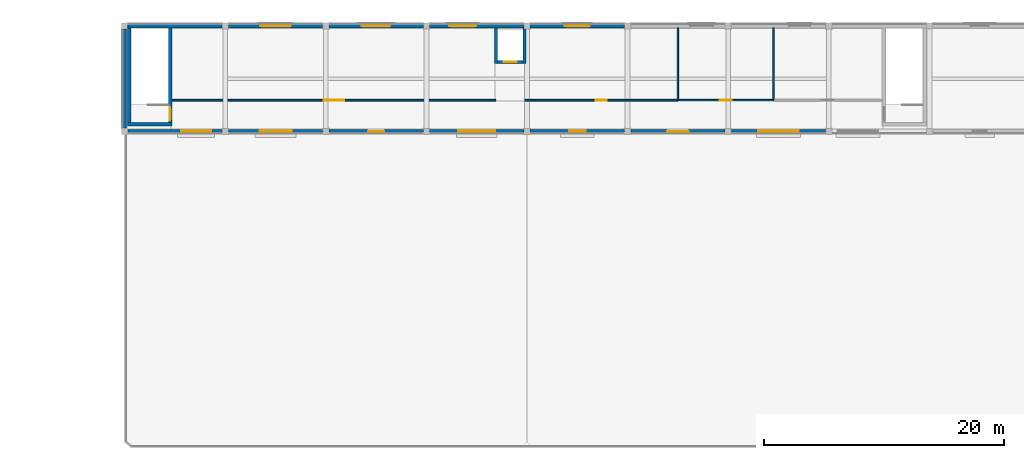
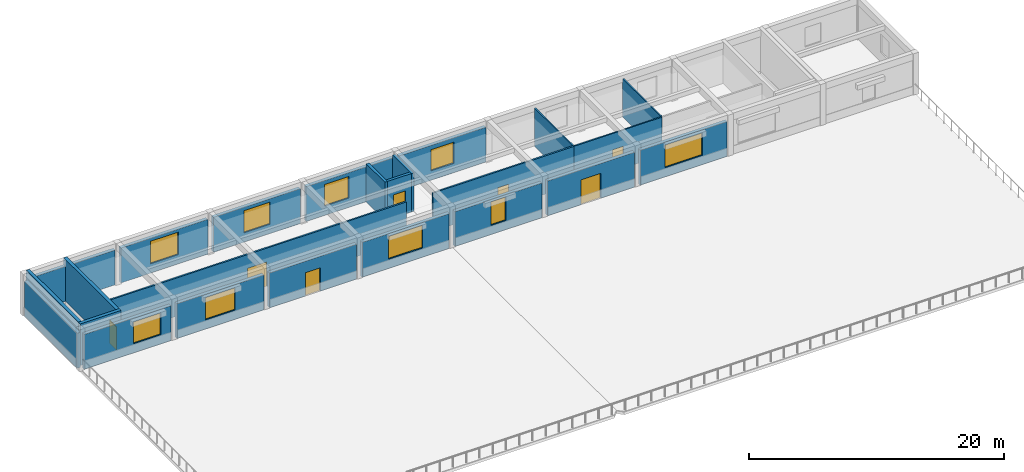
# One storey, part 35 of 49: 24 walls, 9 windows, 7 doors, 16 openings.
"""IFC4 building model written with IfcOpenShell, lengths in metres."""

from ifc_helpers import new_model, si_unit, direction, frame, frame_2d, origin, place, context, subcontext, project, spatial, rectangle, extrude, material, layer, layer_set, type_object, element, fill, save


model = new_model("IFC4")

# Units and contexts
model_context = context("Model", 3, precision=1e-05, world=origin(), true_north=direction((0.0, 1.0)))
body_context = subcontext(model_context, "Body", "Model", "MODEL_VIEW")
ifc_project = project(units=[si_unit("LENGTHUNIT", "METRE"), si_unit("AREAUNIT", "SQUARE_METRE"), si_unit("VOLUMEUNIT", "CUBIC_METRE"), si_unit("PLANEANGLEUNIT", "RADIAN"), si_unit("MASSUNIT", "GRAM", prefix="KILO")], contexts=[model_context])

# Site, building, storey
site_placement = place(None, origin())
site = spatial("IfcSite", under=ifc_project, at=site_placement, CompositionType="ELEMENT")
building_placement = place(site_placement, origin())
building = spatial("IfcBuilding", under=site, at=building_placement, Name="Kemercrest Conservatory and Botanical Centre", CompositionType="ELEMENT")
storey_placement = place(building_placement, frame((0.0, 0.0, 13.199951171875)))
storey = spatial("IfcBuildingStorey", under=building, at=storey_placement, Name="L03", CompositionType="ELEMENT", Elevation=13.199951171875)

# Walls
ifc_material_1 = material(Name="Precast concrete C40/50", Category="concrete")
ifc_layer_1 = layer(ifc_material_1, 0.300048828125)
ifc_layer_set_1 = layer_set([ifc_layer_1], Name="Precast concrete C40/50")
wall_type_1 = type_object("IfcWallType", Name="CW-EXT300", PredefinedType="SHEAR", material=ifc_layer_set_1)
wall_1_placement = place(storey_placement, frame((24.5400390625, 122.39990234375, 0.0), z_axis=(0.0, 0.0, 1.0), x_axis=(-1.0, 0.0, 0.0)))
element("IfcWall", 1, at=wall_1_placement, inside=storey, type_object=wall_type_1, Name="Exterior stair-core shear wall CW-EXT300 (WAL:L03:EXT-156)", PredefinedType="SHEAR", context=body_context, shape_type="SweptSolid", body=[
    extrude(rectangle(XDim=7.880126953125, YDim=0.300048828125, at=frame_2d((3.93994140625, 0.0))), origin(), (0.0, 0.0, 1.0), 3.35009765625),
])
ifc_material_2 = material(Name="Concrete C50/60", Category="concrete")
ifc_layer_2 = layer(ifc_material_2, 0.300048828125)
ifc_layer_set_2 = layer_set([ifc_layer_2], Name="Concrete C50/60")
wall_type_2 = type_object("IfcWallType", Name="CW-STAIR", PredefinedType="SHEAR", material=ifc_layer_set_2)
wall_2_placement = place(storey_placement, frame((16.64990234375, 114.199951171875, 0.0), z_axis=(0.0, 0.0, 1.0), x_axis=(1.0, 0.0, 0.0)))
element("IfcWall", 2, at=wall_2_placement, inside=storey, type_object=wall_type_2, Name="Stair core ST-V3A shear wall S", PredefinedType="SHEAR", context=body_context, shape_type="SweptSolid", body=[
    extrude(rectangle(XDim=3.7001953125, YDim=0.300048828125, at=frame_2d((1.85009765625, 0.0))), origin(), (0.0, 0.0, 1.0), 4.0),
])
wall_3_placement = place(storey_placement, frame((16.800048828125, 114.050048828125, 0.0), z_axis=(0.0, 0.0, 1.0), x_axis=(0.0, 1.0, 0.0)))
element("IfcWall", 3, at=wall_3_placement, inside=storey, type_object=wall_type_2, Name="Stair core ST-V3A shear wall W", PredefinedType="SHEAR", context=body_context, shape_type="SweptSolid", body=[
    extrude(rectangle(XDim=8.5, YDim=0.300048828125, at=frame_2d((4.25, 0.0))), origin(), (0.0, 0.0, 1.0), 4.0),
])

# Wall, opening, door
wall_4_placement = place(storey_placement, frame((20.199951171875, 114.050048828125, 0.0), z_axis=(0.0, 0.0, 1.0), x_axis=(0.0, 1.0, 0.0)))
wall_4 = element("IfcWall", 4, at=wall_4_placement, inside=storey, type_object=wall_type_2, Name="Stair core ST-V3A shear wall E", PredefinedType="SHEAR", context=body_context, shape_type="SweptSolid", body=[
    extrude(rectangle(XDim=8.5, YDim=0.300048828125, at=frame_2d((4.25, 0.0))), origin(), (0.0, 0.0, 1.0), 4.0),
])
opening_1_placement = place(wall_4_placement, frame((0.449951171875, 0.0, 0.0)))
opening_1 = element("IfcOpeningElement", 5, at=opening_1_placement, cuts=wall_4, Name="Opening D019", PredefinedType="OPENING", context=body_context, shape_type="SweptSolid", body=[
    extrude(rectangle(XDim=1.10009765625, YDim=2.199951171875, at=frame_2d((0.550048828125, 1.10009765625))), frame((0.0, 0.16015625, 0.0), z_axis=(0.0, -1.0, 0.0), x_axis=(1.0, 0.0, 0.0)), (0.0, 0.0, 1.0), 0.320068359375),
])
ifc_material_3 = material(Name="Powder-coated galvanized steel and fire-rated vision glass", Category="steel")
door_type_1 = type_object("IfcDoorType", Name="DT-FD90", OperationType="NOTDEFINED", PredefinedType="DOOR", material=ifc_material_3)
door_1_placement = place(opening_1_placement, origin())
door_1 = element("IfcDoor", 6, at=door_1_placement, inside=storey, type_object=door_type_1, Name="Exit stair ST-V3A fire door D019", OperationType="SINGLE_SWING_LEFT", OverallHeight=2.199951171875, OverallWidth=1.10009765625, PredefinedType="DOOR", context=body_context, shape_type="SweptSolid", body=[
    extrude(rectangle(XDim=1.10009765625, YDim=2.199951171875, at=frame_2d((0.550048828125, 1.10009765625))), frame((0.0, 0.02490234375, 0.0), z_axis=(0.0, -1.0, 0.0), x_axis=(1.0, 0.0, 0.0)), (0.0, 0.0, 1.0), 0.050048828125),
])
fill(opening_1, door_1)

# Wall, opening, window
ifc_layer_3 = layer(ifc_material_1, 0.300048828125)
ifc_layer_set_3 = layer_set([ifc_layer_3], Name="Precast concrete C40/50")
wall_type_3 = type_object("IfcWallType", Name="W-EXT300", PredefinedType="SOLIDWALL", material=ifc_layer_set_3)
wall_5_placement = place(storey_placement, frame((16.659912109375, 113.60009765625, 0.0), z_axis=(0.0, 0.0, 1.0), x_axis=(1.0, 0.0, 0.0)))
wall_5 = element("IfcWall", 7, at=wall_5_placement, inside=storey, type_object=wall_type_3, Name="Exterior almasik wall W-EXT300 (WAL:L03:EXT-138)", PredefinedType="SOLIDWALL", context=body_context, shape_type="SweptSolid", body=[
    extrude(rectangle(XDim=7.880126953125, YDim=0.300048828125, at=frame_2d((3.93994140625, 0.0))), origin(), (0.0, 0.0, 1.0), 3.35009765625),
])
opening_2_placement = place(wall_5_placement, frame((4.469970703125, 0.0, 0.89990234375)))
opening_2 = element("IfcOpeningElement", 8, at=opening_2_placement, cuts=wall_5, Name="Opening WT-37", PredefinedType="OPENING", context=body_context, shape_type="SweptSolid", body=[
    extrude(rectangle(XDim=2.47998046875, YDim=2.080078125, at=frame_2d((1.239990234375, 1.0400390625))), frame((0.0, 0.16015625, 0.0), z_axis=(0.0, -1.0, 0.0), x_axis=(1.0, 0.0, 0.0)), (0.0, 0.0, 1.0), 0.320068359375),
])
ifc_material_4 = material(Name="Thermally broken bronze-anodized aluminium and triple glazing", Category="aluminium")
window_type_1 = type_object("IfcWindowType", Name="WT-37", PartitioningType="SINGLE_PANEL", PredefinedType="WINDOW", material=ifc_material_4)
window_1_placement = place(opening_2_placement, origin())
window_1 = element("IfcWindow", 9, at=window_1_placement, inside=storey, type_object=window_type_1, Name="Exterior window WT-37 (WIN:L03:EXT-138)", OverallHeight=2.080078125, OverallWidth=2.47998046875, PartitioningType="SINGLE_PANEL", PredefinedType="WINDOW", context=body_context, shape_type="SweptSolid", body=[
    extrude(rectangle(XDim=2.47998046875, YDim=2.080078125, at=frame_2d((1.239990234375, 1.0400390625))), frame((0.0, 0.030029296875, 0.0), z_axis=(0.0, -1.0, 0.0), x_axis=(1.0, 0.0, 0.0)), (0.0, 0.0, 1.0), 0.06005859375),
])
fill(opening_2, window_1)

wall_6_placement = place(storey_placement, frame((25.06005859375, 113.60009765625, 0.0), z_axis=(0.0, 0.0, 1.0), x_axis=(1.0, 0.0, 0.0)))
wall_6 = element("IfcWall", 10, at=wall_6_placement, inside=storey, type_object=wall_type_3, Name="Exterior almasik wall W-EXT300 (WAL:L03:EXT-139)", PredefinedType="SOLIDWALL", context=body_context, shape_type="SweptSolid", body=[
    extrude(rectangle(XDim=7.8798828125, YDim=0.300048828125, at=frame_2d((3.93994140625, 0.0))), origin(), (0.0, 0.0, 1.0), 3.35009765625),
])
opening_3_placement = place(wall_6_placement, frame((2.60009765625, 0.0, 0.89990234375)))
opening_3 = element("IfcOpeningElement", 11, at=opening_3_placement, cuts=wall_6, Name="Opening WT-38", PredefinedType="OPENING", context=body_context, shape_type="SweptSolid", body=[
    extrude(rectangle(XDim=2.679931640625, YDim=2.1201171875, at=frame_2d((1.33984375, 1.06005859375))), frame((0.0, 0.16015625, 0.0), z_axis=(0.0, -1.0, 0.0), x_axis=(1.0, 0.0, 0.0)), (0.0, 0.0, 1.0), 0.320068359375),
])
window_type_2 = type_object("IfcWindowType", Name="WT-38", PartitioningType="SINGLE_PANEL", PredefinedType="WINDOW", material=ifc_material_4)
window_2_placement = place(opening_3_placement, origin())
window_2 = element("IfcWindow", 12, at=window_2_placement, inside=storey, type_object=window_type_2, Name="Exterior window WT-38 (WIN:L03:EXT-139)", OverallHeight=2.1201171875, OverallWidth=2.679931640625, PartitioningType="SINGLE_PANEL", PredefinedType="WINDOW", context=body_context, shape_type="SweptSolid", body=[
    extrude(rectangle(XDim=2.679931640625, YDim=2.1201171875, at=frame_2d((1.33984375, 1.06005859375))), frame((0.0, 0.030029296875, 0.0), z_axis=(0.0, -1.0, 0.0), x_axis=(1.0, 0.0, 0.0)), (0.0, 0.0, 1.0), 0.06005859375),
])
fill(opening_3, window_2)

# Wall, opening, door
wall_7_placement = place(storey_placement, frame((33.4599609375, 113.60009765625, 0.0), z_axis=(0.0, 0.0, 1.0), x_axis=(1.0, 0.0, 0.0)))
wall_7 = element("IfcWall", 13, at=wall_7_placement, inside=storey, type_object=wall_type_3, Name="Exterior almasik wall W-EXT300 (WAL:L03:EXT-140)", PredefinedType="SOLIDWALL", context=body_context, shape_type="SweptSolid", body=[
    extrude(rectangle(XDim=7.880126953125, YDim=0.300048828125, at=frame_2d((3.93994140625, 0.0))), origin(), (0.0, 0.0, 1.0), 3.35009765625),
])
opening_4_placement = place(wall_7_placement, frame((3.264892578125, 0.0, 0.0)))
opening_4 = element("IfcOpeningElement", 14, at=opening_4_placement, cuts=wall_7, Name="Opening ED031", PredefinedType="OPENING", context=body_context, shape_type="SweptSolid", body=[
    extrude(rectangle(XDim=1.35009765625, YDim=2.25, at=frame_2d((0.675048828125, 1.125))), frame((0.0, 0.16015625, 0.0), z_axis=(0.0, -1.0, 0.0), x_axis=(1.0, 0.0, 0.0)), (0.0, 0.0, 1.0), 0.320068359375),
])
ifc_material_5 = material(Name="Thermally broken bronze-anodized aluminium and laminated safety glass", Category="aluminium")
door_type_2 = type_object("IfcDoorType", Name="DT-E09", OperationType="NOTDEFINED", PredefinedType="DOOR", material=ifc_material_5)
door_2_placement = place(opening_4_placement, frame((1.35009765625, 0.0, 0.0), z_axis=(0.0, 0.0, 1.0), x_axis=(-1.0, 0.0, 0.0)))
door_2 = element("IfcDoor", 15, at=door_2_placement, inside=storey, type_object=door_type_2, Name="Public Roof Terrace West Access Door", OperationType="SINGLE_SWING_LEFT", OverallHeight=2.25, OverallWidth=1.35009765625, PredefinedType="DOOR", context=body_context, shape_type="SweptSolid", body=[
    extrude(rectangle(XDim=1.35009765625, YDim=2.25, at=frame_2d((0.675048828125, 1.125))), frame((0.0, 0.02490234375, 0.0), z_axis=(0.0, -1.0, 0.0), x_axis=(1.0, 0.0, 0.0)), (0.0, 0.0, 1.0), 0.050048828125),
])
fill(opening_4, door_2)

# Wall, opening, window
wall_8_placement = place(storey_placement, frame((41.860107421875, 113.60009765625, 0.0), z_axis=(0.0, 0.0, 1.0), x_axis=(1.0, 0.0, 0.0)))
wall_8 = element("IfcWall", 16, at=wall_8_placement, inside=storey, type_object=wall_type_3, Name="Exterior almasik wall W-EXT300 (WAL:L03:EXT-141)", PredefinedType="SOLIDWALL", context=body_context, shape_type="SweptSolid", body=[
    extrude(rectangle(XDim=7.8798828125, YDim=0.300048828125, at=frame_2d((3.93994140625, 0.0))), origin(), (0.0, 0.0, 1.0), 3.35009765625),
])
opening_5_placement = place(wall_8_placement, frame((2.39990234375, 0.0, 0.89990234375)))
opening_5 = element("IfcOpeningElement", 17, at=opening_5_placement, cuts=wall_8, Name="Opening WT-40", PredefinedType="OPENING", context=body_context, shape_type="SweptSolid", body=[
    extrude(rectangle(XDim=3.080078125, YDim=2.179931640625, at=frame_2d((1.5400390625, 1.08984375))), frame((0.0, 0.16015625, 0.0), z_axis=(0.0, -1.0, 0.0), x_axis=(1.0, 0.0, 0.0)), (0.0, 0.0, 1.0), 0.320068359375),
])
window_type_3 = type_object("IfcWindowType", Name="WT-40", PartitioningType="SINGLE_PANEL", PredefinedType="WINDOW", material=ifc_material_4)
window_3_placement = place(opening_5_placement, origin())
window_3 = element("IfcWindow", 18, at=window_3_placement, inside=storey, type_object=window_type_3, Name="Exterior window WT-40 (WIN:L03:EXT-141)", OverallHeight=2.179931640625, OverallWidth=3.080078125, PartitioningType="SINGLE_PANEL", PredefinedType="WINDOW", context=body_context, shape_type="SweptSolid", body=[
    extrude(rectangle(XDim=3.080078125, YDim=2.179931640625, at=frame_2d((1.5400390625, 1.08984375))), frame((0.0, 0.030029296875, 0.0), z_axis=(0.0, -1.0, 0.0), x_axis=(1.0, 0.0, 0.0)), (0.0, 0.0, 1.0), 0.06005859375),
])
fill(opening_5, window_3)

wall_9_placement = place(storey_placement, frame((50.260009765625, 113.60009765625, 0.0), z_axis=(0.0, 0.0, 1.0), x_axis=(1.0, 0.0, 0.0)))
wall_9 = element("IfcWall", 19, at=wall_9_placement, inside=storey, type_object=wall_type_3, Name="Exterior almasik wall W-EXT300 (WAL:L03:EXT-142)", PredefinedType="SOLIDWALL", context=body_context, shape_type="SweptSolid", body=[
    extrude(rectangle(XDim=7.8798828125, YDim=0.300048828125, at=frame_2d((3.93994140625, 0.0))), origin(), (0.0, 0.0, 1.0), 3.35009765625),
])
opening_6_placement = place(wall_9_placement, frame((3.25, 0.0, 0.89990234375)))
opening_6 = element("IfcOpeningElement", 20, at=opening_6_placement, cuts=wall_9, Name="Opening WT-41", PredefinedType="OPENING", context=body_context, shape_type="SweptSolid", body=[
    extrude(rectangle(XDim=1.3798828125, YDim=2.239990234375, at=frame_2d((0.68994140625, 1.1201171875))), frame((0.0, 0.16015625, 0.0), z_axis=(0.0, -1.0, 0.0), x_axis=(1.0, 0.0, 0.0)), (0.0, 0.0, 1.0), 0.320068359375),
])
window_type_4 = type_object("IfcWindowType", Name="WT-41", PartitioningType="SINGLE_PANEL", PredefinedType="WINDOW", material=ifc_material_4)
window_4_placement = place(opening_6_placement, origin())
window_4 = element("IfcWindow", 21, at=window_4_placement, inside=storey, type_object=window_type_4, Name="Exterior window WT-41 (WIN:L03:EXT-142)", OverallHeight=2.239990234375, OverallWidth=1.3798828125, PartitioningType="SINGLE_PANEL", PredefinedType="WINDOW", context=body_context, shape_type="SweptSolid", body=[
    extrude(rectangle(XDim=1.3798828125, YDim=2.239990234375, at=frame_2d((0.68994140625, 1.1201171875))), frame((0.0, 0.030029296875, 0.0), z_axis=(0.0, -1.0, 0.0), x_axis=(1.0, 0.0, 0.0)), (0.0, 0.0, 1.0), 0.06005859375),
])
fill(opening_6, window_4)

# Wall, opening, door
wall_10_placement = place(storey_placement, frame((58.659912109375, 113.60009765625, 0.0), z_axis=(0.0, 0.0, 1.0), x_axis=(1.0, 0.0, 0.0)))
wall_10 = element("IfcWall", 22, at=wall_10_placement, inside=storey, type_object=wall_type_3, Name="Exterior almasik wall W-EXT300 (WAL:L03:EXT-143)", PredefinedType="SOLIDWALL", context=body_context, shape_type="SweptSolid", body=[
    extrude(rectangle(XDim=7.880126953125, YDim=0.300048828125, at=frame_2d((3.93994140625, 0.0))), origin(), (0.0, 0.0, 1.0), 3.35009765625),
])
opening_7_placement = place(wall_10_placement, frame((3.0400390625, 0.0, 0.0)))
opening_7 = element("IfcOpeningElement", 23, at=opening_7_placement, cuts=wall_10, Name="Opening ED032", PredefinedType="OPENING", context=body_context, shape_type="SweptSolid", body=[
    extrude(rectangle(XDim=1.800048828125, YDim=2.39990234375, at=frame_2d((0.89990234375, 1.199951171875))), frame((0.0, 0.16015625, 0.0), z_axis=(0.0, -1.0, 0.0), x_axis=(1.0, 0.0, 0.0)), (0.0, 0.0, 1.0), 0.320068359375),
])
door_type_3 = type_object("IfcDoorType", Name="DT-E02", OperationType="DOUBLE_DOOR_SINGLE_SWING", PredefinedType="DOOR", material=ifc_material_5)
door_3_placement = place(opening_7_placement, frame((1.800048828125, 0.0, 0.0), z_axis=(0.0, 0.0, 1.0), x_axis=(-1.0, 0.0, 0.0)))
door_3 = element("IfcDoor", 24, at=door_3_placement, inside=storey, type_object=door_type_3, Name="Public Roof Terrace Central Double Portal Door", OperationType="DOUBLE_DOOR_SINGLE_SWING", OverallHeight=2.39990234375, OverallWidth=1.800048828125, PredefinedType="DOOR", context=body_context, shape_type="SweptSolid", body=[
    extrude(rectangle(XDim=1.800048828125, YDim=2.39990234375, at=frame_2d((0.89990234375, 1.199951171875))), frame((0.0, 0.02490234375, 0.0), z_axis=(0.0, -1.0, 0.0), x_axis=(1.0, 0.0, 0.0)), (0.0, 0.0, 1.0), 0.050048828125),
])
fill(opening_7, door_3)

# Wall, opening, window
wall_11_placement = place(storey_placement, frame((67.06005859375, 113.60009765625, 0.0), z_axis=(0.0, 0.0, 1.0), x_axis=(1.0, 0.0, 0.0)))
wall_11 = element("IfcWall", 25, at=wall_11_placement, inside=storey, type_object=wall_type_3, Name="Exterior almasik wall W-EXT300 (WAL:L03:EXT-144)", PredefinedType="SOLIDWALL", context=body_context, shape_type="SweptSolid", body=[
    extrude(rectangle(XDim=7.8798828125, YDim=0.300048828125, at=frame_2d((3.93994140625, 0.0))), origin(), (0.0, 0.0, 1.0), 3.35009765625),
])
opening_8_placement = place(wall_11_placement, frame((2.239990234375, 0.0, 0.89990234375)))
opening_8 = element("IfcOpeningElement", 26, at=opening_8_placement, cuts=wall_11, Name="Opening WT-20", PredefinedType="OPENING", context=body_context, shape_type="SweptSolid", body=[
    extrude(rectangle(XDim=3.39990234375, YDim=2.14990234375, at=frame_2d((1.699951171875, 1.074951171875))), frame((0.0, 0.16015625, 0.0), z_axis=(0.0, -1.0, 0.0), x_axis=(1.0, 0.0, 0.0)), (0.0, 0.0, 1.0), 0.320068359375),
])
window_type_5 = type_object("IfcWindowType", Name="WT-20", PartitioningType="SINGLE_PANEL", PredefinedType="WINDOW", material=ifc_material_4)
window_5_placement = place(opening_8_placement, origin())
window_5 = element("IfcWindow", 27, at=window_5_placement, inside=storey, type_object=window_type_5, Name="Exterior window WT-20 (WIN:L03:EXT-144)", OverallHeight=2.14990234375, OverallWidth=3.39990234375, PartitioningType="SINGLE_PANEL", PredefinedType="WINDOW", context=body_context, shape_type="SweptSolid", body=[
    extrude(rectangle(XDim=3.39990234375, YDim=2.14990234375, at=frame_2d((1.699951171875, 1.074951171875))), frame((0.0, 0.030029296875, 0.0), z_axis=(0.0, -1.0, 0.0), x_axis=(1.0, 0.0, 0.0)), (0.0, 0.0, 1.0), 0.06005859375),
])
fill(opening_8, window_5)

wall_12_placement = place(storey_placement, frame((58.139892578125, 122.39990234375, 0.0), z_axis=(0.0, 0.0, 1.0), x_axis=(-1.0, 0.0, 0.0)))
wall_12 = element("IfcWall", 28, at=wall_12_placement, inside=storey, type_object=wall_type_3, Name="Exterior almasik wall W-EXT300 (WAL:L03:EXT-152)", PredefinedType="SOLIDWALL", context=body_context, shape_type="SweptSolid", body=[
    extrude(rectangle(XDim=7.8798828125, YDim=0.300048828125, at=frame_2d((3.93994140625, 0.0))), origin(), (0.0, 0.0, 1.0), 3.35009765625),
])
opening_9_placement = place(wall_12_placement, frame((2.89990234375, 0.0, 0.89990234375)))
opening_9 = element("IfcOpeningElement", 29, at=opening_9_placement, cuts=wall_12, Name="Opening WT-51", PredefinedType="OPENING", context=body_context, shape_type="SweptSolid", body=[
    extrude(rectangle(XDim=2.080078125, YDim=2.0400390625, at=frame_2d((1.0400390625, 1.02001953125))), frame((0.0, 0.16015625, 0.0), z_axis=(0.0, -1.0, 0.0), x_axis=(1.0, 0.0, 0.0)), (0.0, 0.0, 1.0), 0.320068359375),
])
window_type_6 = type_object("IfcWindowType", Name="WT-51", PartitioningType="SINGLE_PANEL", PredefinedType="WINDOW", material=ifc_material_4)
window_6_placement = place(opening_9_placement, origin())
window_6 = element("IfcWindow", 30, at=window_6_placement, inside=storey, type_object=window_type_6, Name="Exterior window WT-51 (WIN:L03:EXT-152)", OverallHeight=2.0400390625, OverallWidth=2.080078125, PartitioningType="SINGLE_PANEL", PredefinedType="WINDOW", context=body_context, shape_type="SweptSolid", body=[
    extrude(rectangle(XDim=2.080078125, YDim=2.0400390625, at=frame_2d((1.0400390625, 1.02001953125))), frame((0.0, 0.030029296875, 0.0), z_axis=(0.0, -1.0, 0.0), x_axis=(1.0, 0.0, 0.0)), (0.0, 0.0, 1.0), 0.06005859375),
])
fill(opening_9, window_6)

wall_13_placement = place(storey_placement, frame((49.739990234375, 122.39990234375, 0.0), z_axis=(0.0, 0.0, 1.0), x_axis=(-1.0, 0.0, 0.0)))
wall_13 = element("IfcWall", 31, at=wall_13_placement, inside=storey, type_object=wall_type_3, Name="Exterior almasik wall W-EXT300 (WAL:L03:EXT-153)", PredefinedType="SOLIDWALL", context=body_context, shape_type="SweptSolid", body=[
    extrude(rectangle(XDim=7.8798828125, YDim=0.300048828125, at=frame_2d((3.93994140625, 0.0))), origin(), (0.0, 0.0, 1.0), 3.35009765625),
])
opening_10_placement = place(wall_13_placement, frame((4.0, 0.0, 0.89990234375)))
opening_10 = element("IfcOpeningElement", 32, at=opening_10_placement, cuts=wall_13, Name="Opening WT-52", PredefinedType="OPENING", context=body_context, shape_type="SweptSolid", body=[
    extrude(rectangle(XDim=2.219970703125, YDim=2.080078125, at=frame_2d((1.10986328125, 1.0400390625))), frame((0.0, 0.16015625, 0.0), z_axis=(0.0, -1.0, 0.0), x_axis=(1.0, 0.0, 0.0)), (0.0, 0.0, 1.0), 0.320068359375),
])
window_type_7 = type_object("IfcWindowType", Name="WT-52", PartitioningType="SINGLE_PANEL", PredefinedType="WINDOW", material=ifc_material_4)
window_7_placement = place(opening_10_placement, origin())
window_7 = element("IfcWindow", 33, at=window_7_placement, inside=storey, type_object=window_type_7, Name="Exterior window WT-52 (WIN:L03:EXT-153)", OverallHeight=2.080078125, OverallWidth=2.219970703125, PartitioningType="SINGLE_PANEL", PredefinedType="WINDOW", context=body_context, shape_type="SweptSolid", body=[
    extrude(rectangle(XDim=2.219970703125, YDim=2.080078125, at=frame_2d((1.10986328125, 1.0400390625))), frame((0.0, 0.030029296875, 0.0), z_axis=(0.0, -1.0, 0.0), x_axis=(1.0, 0.0, 0.0)), (0.0, 0.0, 1.0), 0.06005859375),
])
fill(opening_10, window_7)

wall_14_placement = place(storey_placement, frame((41.340087890625, 122.39990234375, 0.0), z_axis=(0.0, 0.0, 1.0), x_axis=(-1.0, 0.0, 0.0)))
wall_14 = element("IfcWall", 34, at=wall_14_placement, inside=storey, type_object=wall_type_3, Name="Exterior almasik wall W-EXT300 (WAL:L03:EXT-154)", PredefinedType="SOLIDWALL", context=body_context, shape_type="SweptSolid", body=[
    extrude(rectangle(XDim=7.880126953125, YDim=0.300048828125, at=frame_2d((3.93994140625, 0.0))), origin(), (0.0, 0.0, 1.0), 3.35009765625),
])
opening_11_placement = place(wall_14_placement, frame((2.75, 0.0, 0.89990234375)))
opening_11 = element("IfcOpeningElement", 35, at=opening_11_placement, cuts=wall_14, Name="Opening WT-53", PredefinedType="OPENING", context=body_context, shape_type="SweptSolid", body=[
    extrude(rectangle(XDim=2.3798828125, YDim=2.1201171875, at=frame_2d((1.18994140625, 1.06005859375))), frame((0.0, 0.16015625, 0.0), z_axis=(0.0, -1.0, 0.0), x_axis=(1.0, 0.0, 0.0)), (0.0, 0.0, 1.0), 0.320068359375),
])
window_type_8 = type_object("IfcWindowType", Name="WT-53", PartitioningType="SINGLE_PANEL", PredefinedType="WINDOW", material=ifc_material_4)
window_8_placement = place(opening_11_placement, origin())
window_8 = element("IfcWindow", 36, at=window_8_placement, inside=storey, type_object=window_type_8, Name="Exterior window WT-53 (WIN:L03:EXT-154)", OverallHeight=2.1201171875, OverallWidth=2.3798828125, PartitioningType="SINGLE_PANEL", PredefinedType="WINDOW", context=body_context, shape_type="SweptSolid", body=[
    extrude(rectangle(XDim=2.3798828125, YDim=2.1201171875, at=frame_2d((1.18994140625, 1.06005859375))), frame((0.0, 0.030029296875, 0.0), z_axis=(0.0, -1.0, 0.0), x_axis=(1.0, 0.0, 0.0)), (0.0, 0.0, 1.0), 0.06005859375),
])
fill(opening_11, window_8)

wall_15_placement = place(storey_placement, frame((32.93994140625, 122.39990234375, 0.0), z_axis=(0.0, 0.0, 1.0), x_axis=(-1.0, 0.0, 0.0)))
wall_15 = element("IfcWall", 37, at=wall_15_placement, inside=storey, type_object=wall_type_3, Name="Exterior almasik wall W-EXT300 (WAL:L03:EXT-155)", PredefinedType="SOLIDWALL", context=body_context, shape_type="SweptSolid", body=[
    extrude(rectangle(XDim=7.8798828125, YDim=0.300048828125, at=frame_2d((3.93994140625, 0.0))), origin(), (0.0, 0.0, 1.0), 3.35009765625),
])
opening_12_placement = place(wall_15_placement, frame((2.669921875, 0.0, 0.89990234375)))
opening_12 = element("IfcOpeningElement", 38, at=opening_12_placement, cuts=wall_15, Name="Opening WT-54", PredefinedType="OPENING", context=body_context, shape_type="SweptSolid", body=[
    extrude(rectangle(XDim=2.5400390625, YDim=2.159912109375, at=frame_2d((1.27001953125, 1.080078125))), frame((0.0, 0.16015625, 0.0), z_axis=(0.0, -1.0, 0.0), x_axis=(1.0, 0.0, 0.0)), (0.0, 0.0, 1.0), 0.320068359375),
])
window_type_9 = type_object("IfcWindowType", Name="WT-54", PartitioningType="SINGLE_PANEL", PredefinedType="WINDOW", material=ifc_material_4)
window_9_placement = place(opening_12_placement, origin())
window_9 = element("IfcWindow", 39, at=window_9_placement, inside=storey, type_object=window_type_9, Name="Exterior window WT-54 (WIN:L03:EXT-155)", OverallHeight=2.159912109375, OverallWidth=2.5400390625, PartitioningType="SINGLE_PANEL", PredefinedType="WINDOW", context=body_context, shape_type="SweptSolid", body=[
    extrude(rectangle(XDim=2.5400390625, YDim=2.159912109375, at=frame_2d((1.27001953125, 1.080078125))), frame((0.0, 0.030029296875, 0.0), z_axis=(0.0, -1.0, 0.0), x_axis=(1.0, 0.0, 0.0)), (0.0, 0.0, 1.0), 0.06005859375),
])
fill(opening_12, window_9)

# Wall
wall_16_placement = place(storey_placement, frame((16.39990234375, 122.139892578125, 0.0), z_axis=(0.0, 0.0, 1.0), x_axis=(0.0, -1.0, 0.0)))
element("IfcWall", 40, at=wall_16_placement, inside=storey, type_object=wall_type_3, Name="Exterior almasik wall W-EXT300 (WAL:L03:EXT-157)", PredefinedType="SOLIDWALL", context=body_context, shape_type="SweptSolid", body=[
    extrude(rectangle(XDim=8.27978515625, YDim=0.300048828125, at=frame_2d((4.139892578125, 0.0))), origin(), (0.0, 0.0, 1.0), 3.35009765625),
])

# Wall, opening, door
ifc_material_6 = material(Name="Moisture-resistant gypsum board partition", Category="gypsum")
ifc_layer_4 = layer(ifc_material_6, 0.125)
ifc_layer_set_4 = layer_set([ifc_layer_4], Name="Moisture-resistant gypsum board partition")
wall_type_4 = type_object("IfcWallType", Name="W-PART125", PredefinedType="PARTITIONING", material=ifc_layer_set_4)
wall_17_placement = place(storey_placement, frame((62.60009765625, 116.199951171875, 0.0), z_axis=(0.0, 0.0, 1.0), x_axis=(1.0, 0.0, 0.0)))
wall_17 = element("IfcWall", 41, at=wall_17_placement, inside=storey, type_object=wall_type_4, Name="Interior partition W-PART125 #141", PredefinedType="PARTITIONING", context=body_context, shape_type="SweptSolid", body=[
    extrude(rectangle(XDim=8.0, YDim=0.125, at=frame_2d((4.0, 0.0))), origin(), (0.0, 0.0, 1.0), 3.6650390625),
])
opening_13_placement = place(wall_17_placement, frame((3.510009765625, 0.0, 0.0)))
opening_13 = element("IfcOpeningElement", 42, at=opening_13_placement, cuts=wall_17, Name="Opening D187", PredefinedType="OPENING", context=body_context, shape_type="SweptSolid", body=[
    extrude(rectangle(XDim=0.97998046875, YDim=2.10009765625, at=frame_2d((0.489990234375, 1.050048828125))), frame((0.0, 0.072509765625, 0.0), z_axis=(0.0, -1.0, 0.0), x_axis=(1.0, 0.0, 0.0)), (0.0, 0.0, 1.0), 0.14501953125),
])
ifc_material_7 = material(Name="FSC solid-core white oak veneer and anodized aluminium frame", Category="aluminium")
door_type_4 = type_object("IfcDoorType", Name="DT-02", OperationType="NOTDEFINED", PredefinedType="DOOR", material=ifc_material_7)
door_4_placement = place(opening_13_placement, origin())
door_4 = element("IfcDoor", 43, at=door_4_placement, inside=storey, type_object=door_type_4, Name="Terrace Accessible Washroom door D187", OperationType="SINGLE_SWING_LEFT", OverallHeight=2.10009765625, OverallWidth=0.97998046875, PredefinedType="DOOR", context=body_context, shape_type="SweptSolid", body=[
    extrude(rectangle(XDim=0.97998046875, YDim=2.10009765625, at=frame_2d((0.489990234375, 1.050048828125))), frame((0.0, 0.02490234375, 0.0), z_axis=(0.0, -1.0, 0.0), x_axis=(1.0, 0.0, 0.0)), (0.0, 0.0, 1.0), 0.050048828125),
])
fill(opening_13, door_4)

# Walls
for number, where, z_axis, x_axis, name in (
    (44, (62.60009765625, 116.280029296875, 0.0), (0.0, 0.0, 1.0), (0.0, 1.0, 0.0), "Interior partition W-PART125 #154"),
    (45, (70.60009765625, 116.280029296875, 0.0), (0.0, 0.0, 1.0), (0.0, 1.0, 0.0), "Interior partition W-PART125 #155"),
):
    element("IfcWall", number, at=place(storey_placement, frame(where, z_axis=z_axis, x_axis=x_axis)), inside=storey, type_object=wall_type_4, Name=name, PredefinedType="PARTITIONING", context=body_context, shape_type="SweptSolid", body=[
        extrude(rectangle(XDim=5.965087890625, YDim=0.125, at=frame_2d((2.982421875, 0.0))), origin(), (0.0, 0.0, 1.0), 3.6650390625),
    ])

# Wall, opening, door
ifc_material_8 = material(Name="Steel-stud gypsum board partition", Category="steel")
ifc_layer_5 = layer(ifc_material_8, 0.14990234375)
ifc_layer_set_5 = layer_set([ifc_layer_5], Name="Steel-stud gypsum board partition")
wall_type_5 = type_object("IfcWallType", Name="W-PART150", PredefinedType="PARTITIONING", material=ifc_layer_set_5)
wall_18_placement = place(storey_placement, frame((20.35498046875, 116.199951171875, 0.0), z_axis=(0.0, 0.0, 1.0), x_axis=(1.0, 0.0, 0.0)))
wall_18 = element("IfcWall", 46, at=wall_18_placement, inside=storey, type_object=wall_type_5, Name="Interior partition W-PART150 #139", PredefinedType="PARTITIONING", context=body_context, shape_type="SweptSolid", body=[
    extrude(rectangle(XDim=27.044921875, YDim=0.14990234375, at=frame_2d((13.5224609375, 0.0))), origin(), (0.0, 0.0, 1.0), 3.6650390625),
])
opening_14_placement = place(wall_18_placement, frame((12.652587890625, 0.0, 0.0)))
opening_14 = element("IfcOpeningElement", 47, at=opening_14_placement, cuts=wall_18, Name="Opening D185", PredefinedType="OPENING", context=body_context, shape_type="SweptSolid", body=[
    extrude(rectangle(XDim=1.739990234375, YDim=2.340087890625, at=frame_2d((0.8701171875, 1.169921875))), frame((0.0, 0.0849609375, 0.0), z_axis=(0.0, -1.0, 0.0), x_axis=(1.0, 0.0, 0.0)), (0.0, 0.0, 1.0), 0.169921875),
])
door_type_5 = type_object("IfcDoorType", Name="DT-32", OperationType="DOUBLE_DOOR_SINGLE_SWING", PredefinedType="DOOR", material=ifc_material_7)
door_5_placement = place(opening_14_placement, origin())
door_5 = element("IfcDoor", 48, at=door_5_placement, inside=storey, type_object=door_type_5, Name="Botanical Terrace Lounge door D185", OperationType="DOUBLE_DOOR_SINGLE_SWING", OverallHeight=2.340087890625, OverallWidth=1.739990234375, PredefinedType="DOOR", context=body_context, shape_type="SweptSolid", body=[
    extrude(rectangle(XDim=1.739990234375, YDim=2.340087890625, at=frame_2d((0.8701171875, 1.169921875))), frame((0.0, 0.02490234375, 0.0), z_axis=(0.0, -1.0, 0.0), x_axis=(1.0, 0.0, 0.0)), (0.0, 0.0, 1.0), 0.050048828125),
])
fill(opening_14, door_5)

wall_19_placement = place(storey_placement, frame((49.800048828125, 116.199951171875, 0.0), z_axis=(0.0, 0.0, 1.0), x_axis=(1.0, 0.0, 0.0)))
wall_19 = element("IfcWall", 49, at=wall_19_placement, inside=storey, type_object=wall_type_5, Name="Interior partition W-PART150 #140", PredefinedType="PARTITIONING", context=body_context, shape_type="SweptSolid", body=[
    extrude(rectangle(XDim=12.800048828125, YDim=0.14990234375, at=frame_2d((6.39990234375, 0.0))), origin(), (0.0, 0.0, 1.0), 3.6650390625),
])
opening_15_placement = place(wall_19_placement, frame((5.929931640625, 0.0, 0.0)))
opening_15 = element("IfcOpeningElement", 50, at=opening_15_placement, cuts=wall_19, Name="Opening D186", PredefinedType="OPENING", context=body_context, shape_type="SweptSolid", body=[
    extrude(rectangle(XDim=0.93994140625, YDim=2.1201171875, at=frame_2d((0.469970703125, 1.06005859375))), frame((0.0, 0.0849609375, 0.0), z_axis=(0.0, -1.0, 0.0), x_axis=(1.0, 0.0, 0.0)), (0.0, 0.0, 1.0), 0.169921875),
])
door_type_6 = type_object("IfcDoorType", Name="DT-33", OperationType="NOTDEFINED", PredefinedType="DOOR", material=ifc_material_7)
door_6_placement = place(opening_15_placement, origin())
door_6 = element("IfcDoor", 51, at=door_6_placement, inside=storey, type_object=door_type_6, Name="Horticultural Demonstration Studio door D186", OperationType="SINGLE_SWING_RIGHT", OverallHeight=2.1201171875, OverallWidth=0.93994140625, PredefinedType="DOOR", context=body_context, shape_type="SweptSolid", body=[
    extrude(rectangle(XDim=0.93994140625, YDim=2.1201171875, at=frame_2d((0.469970703125, 1.06005859375))), frame((0.0, 0.02490234375, 0.0), z_axis=(0.0, -1.0, 0.0), x_axis=(1.0, 0.0, 0.0)), (0.0, 0.0, 1.0), 0.050048828125),
])
fill(opening_15, door_6)

ifc_material_9 = material(Name="Concrete C40/50", Category="concrete")
ifc_layer_6 = layer(ifc_material_9, 0.25)
ifc_layer_set_6 = layer_set([ifc_layer_6], Name="Concrete C40/50")
wall_type_6 = type_object("IfcWallType", Name="W-SHFT250", PredefinedType="SOLIDWALL", material=ifc_layer_set_6)
wall_20_placement = place(storey_placement, frame((47.27490234375, 119.39990234375, 0.0), z_axis=(0.0, 0.0, 1.0), x_axis=(1.0, 0.0, 0.0)))
wall_20 = element("IfcWall", 52, at=wall_20_placement, inside=storey, type_object=wall_type_6, Name="Elevator LF-V3 shaft wall south", PredefinedType="SOLIDWALL", context=body_context, shape_type="SweptSolid", body=[
    extrude(rectangle(XDim=2.650146484375, YDim=0.25, at=frame_2d((1.3251953125, 0.0))), origin(), (0.0, 0.0, 1.0), 3.679931640625),
])
opening_16_placement = place(wall_20_placement, frame((0.77490234375, 0.0, 0.0)))
opening_16 = element("IfcOpeningElement", 53, at=opening_16_placement, cuts=wall_20, Name="Opening LD-104", PredefinedType="OPENING", context=body_context, shape_type="SweptSolid", body=[
    extrude(rectangle(XDim=1.10009765625, YDim=2.199951171875, at=frame_2d((0.550048828125, 1.10009765625))), frame((0.0, 0.135009765625, 0.0), z_axis=(0.0, -1.0, 0.0), x_axis=(1.0, 0.0, 0.0)), (0.0, 0.0, 1.0), 0.27001953125),
])
door_type_7 = type_object("IfcDoorType", Name="DT-LD01", OperationType="SLIDING_TO_LEFT", PredefinedType="DOOR", material=ifc_material_3)
door_7_placement = place(opening_16_placement, origin())
door_7 = element("IfcDoor", 54, at=door_7_placement, inside=storey, type_object=door_type_7, Name="Elevator LF-V3 sliding landing door LD-104", OperationType="SLIDING_TO_LEFT", OverallHeight=2.199951171875, OverallWidth=1.10009765625, PredefinedType="DOOR", context=body_context, shape_type="SweptSolid", body=[
    extrude(rectangle(XDim=1.10009765625, YDim=2.199951171875, at=frame_2d((0.550048828125, 1.10009765625))), frame((0.0, 0.02490234375, 0.0), z_axis=(0.0, -1.0, 0.0), x_axis=(1.0, 0.0, 0.0)), (0.0, 0.0, 1.0), 0.050048828125),
])
fill(opening_16, door_7)

# Walls
for number, where, z_axis, x_axis, name in (
    (55, (47.39990234375, 119.27490234375, 0.0), (0.0, 0.0, 1.0), (0.0, 1.0, 0.0), "Elevator LF-V3 shaft wall west"),
    (56, (49.800048828125, 119.27490234375, 0.0), (0.0, 0.0, 1.0), (0.0, 1.0, 0.0), "Elevator LF-V3 shaft wall east"),
):
    element("IfcWall", number, at=place(storey_placement, frame(where, z_axis=z_axis, x_axis=x_axis)), inside=storey, type_object=wall_type_6, Name=name, PredefinedType="SOLIDWALL", context=body_context, shape_type="SweptSolid", body=[
        extrude(rectangle(XDim=2.9501953125, YDim=0.25, at=frame_2d((1.47509765625, 0.0))), origin(), (0.0, 0.0, 1.0), 3.679931640625),
    ])

save(model, "model.ifc")
